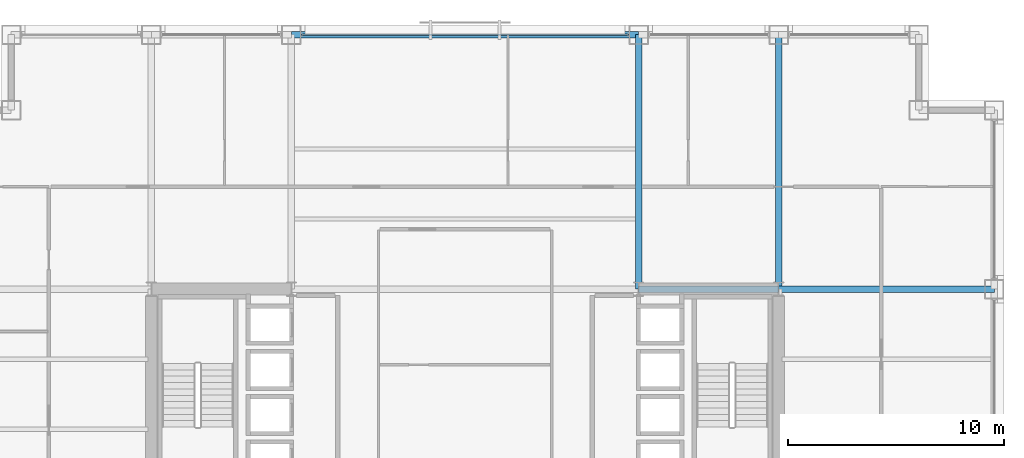
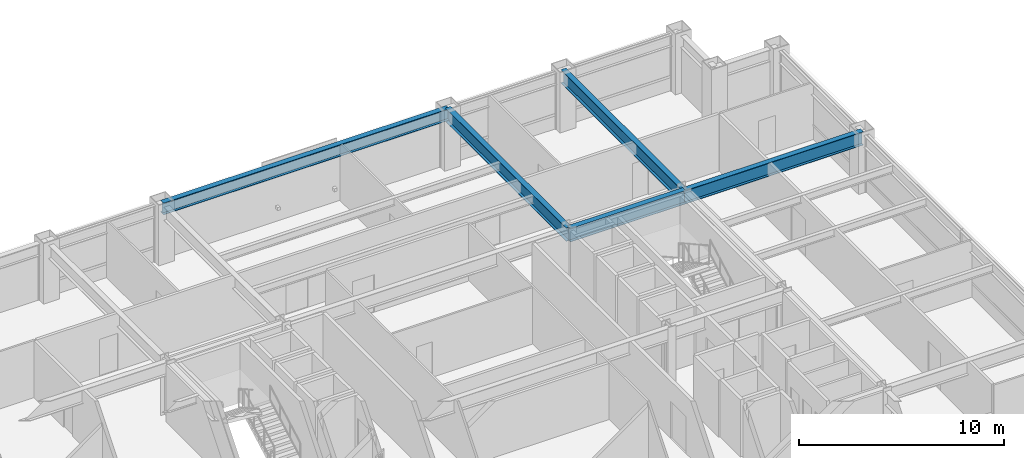
# One storey, part 21 of 29: 5 beams, 1 member, 1 element without a shape of its own.
"""IFC4 building model written with IfcOpenShell, lengths in metres."""

from ifc_helpers import new_model, si_unit, direction, frame, origin, origin_2d, place, context, subcontext, project, spatial, hollow_rectangle, i_section, extrude, material, layer, layer_set, material_profile, profile_set, type_object, element, aggregate, save


model = new_model("IFC4")

# Units and contexts
model_context = context("Model", 3, precision=1e-05, world=origin(), true_north=direction((0.0, 1.0)))
body_context = subcontext(model_context, "Body", "Model", "MODEL_VIEW")
ifc_project = project(units=[si_unit("LENGTHUNIT", "METRE"), si_unit("AREAUNIT", "SQUARE_METRE"), si_unit("VOLUMEUNIT", "CUBIC_METRE"), si_unit("PLANEANGLEUNIT", "RADIAN"), si_unit("MASSUNIT", "GRAM", prefix="KILO")], contexts=[model_context])

# Site, building, storey
site_placement = place(None, origin())
site = spatial("IfcSite", under=ifc_project, at=site_placement, CompositionType="ELEMENT")
building_placement = place(site_placement, origin())
building = spatial("IfcBuilding", under=site, at=building_placement, Name="Brelmoor Portico Tower", CompositionType="ELEMENT")
storey_placement = place(building_placement, frame((0.0, 0.0, 52.800048828125)))
storey = spatial("IfcBuildingStorey", under=building, at=storey_placement, Name="L13", CompositionType="ELEMENT", Elevation=52.800048828125)

# Beams
ifc_material_1 = material(Name="Steel Q355B", Category="steel")
ifc_material_profile_1 = material_profile(ifc_material_1, i_section(OverallWidth=0.300048828125, OverallDepth=0.800048828125, WebThickness=0.013916015625, FlangeThickness=0.02587890625, at=origin_2d()), Name="HN 800x300x14x26")
ifc_profile_set_1 = profile_set([ifc_material_profile_1], Name="Steel Q355B")
beam_type_1 = type_object("IfcBeamType", Name="BM-PG-800", PredefinedType="BEAM", material=ifc_profile_set_1)
for number, where, z_axis, x_axis, name in (
    (1, (8.050048828125, 9.75, 3.0), (0.0, 1.0, 0.0), (-1.0, 0.0, 0.0), "L13 Primary Floor Girder PG-10"),
    (2, (14.550048828125, 9.75, 3.0), (0.0, 1.0, 0.0), (-1.0, 0.0, 0.0), "L13 Primary Floor Girder PG-14"),
):
    element("IfcBeam", number, at=place(storey_placement, frame(where, z_axis=z_axis, x_axis=x_axis)), inside=storey, type_object=beam_type_1, Name=name, PredefinedType="BEAM", context=body_context, shape_type="SweptSolid", body=[
        extrude(i_section(OverallWidth=0.300048828125, OverallDepth=0.800048828125, WebThickness=0.013916015625, FlangeThickness=0.02587890625, at=origin_2d()), origin(), (0.0, 0.0, 1.0), 11.800048828125),
    ])
beam_1_placement = place(storey_placement, frame((8.050048828125, 9.75, 3.0), z_axis=(1.0, 0.0, 0.0), x_axis=(0.0, 1.0, 0.0)))
element("IfcBeam", 3, at=beam_1_placement, inside=storey, type_object=beam_type_1, Name="L13 Primary Floor Girder PG-30", PredefinedType="BEAM", context=body_context, shape_type="SweptSolid", body=[
    extrude(i_section(OverallWidth=0.300048828125, OverallDepth=0.800048828125, WebThickness=0.013916015625, FlangeThickness=0.02587890625, at=origin_2d()), origin(), (0.0, 0.0, 1.0), 6.5),
])
beam_2_placement = place(storey_placement, frame((14.550048828125, 9.75, 3.0), z_axis=(1.0, 0.0, 0.0), x_axis=(0.0, 1.0, 0.0)))
element("IfcBeam", 4, at=beam_2_placement, inside=storey, type_object=beam_type_1, Name="L13 Primary Floor Girder PG-31", PredefinedType="BEAM", context=body_context, shape_type="SweptSolid", body=[
    extrude(i_section(OverallWidth=0.300048828125, OverallDepth=0.800048828125, WebThickness=0.013916015625, FlangeThickness=0.02587890625, at=origin_2d()), origin(), (0.0, 0.0, 1.0), 10.0),
])
ifc_material_profile_2 = material_profile(ifc_material_1, i_section(OverallWidth=0.300048828125, OverallDepth=0.699951171875, WebThickness=0.012939453125, FlangeThickness=0.02392578125, at=origin_2d()), Name="HN 700x300x13x24")
ifc_profile_set_2 = profile_set([ifc_material_profile_2], Name="Steel Q355B")
beam_type_2 = type_object("IfcBeamType", Name="BM-SP-700", PredefinedType="SPANDREL", material=ifc_profile_set_2)
beam_3_placement = place(storey_placement, frame((-8.050048828125, 21.550048828125, 3.050048828125), z_axis=(1.0, 0.0, 0.0), x_axis=(0.0, 1.0, 0.0)))
element("IfcBeam", 5, at=beam_3_placement, inside=storey, type_object=beam_type_2, Name="L13 Perimeter Spandrel Beam SP-12", PredefinedType="SPANDREL", context=body_context, shape_type="SweptSolid", body=[
    extrude(i_section(OverallWidth=0.300048828125, OverallDepth=0.699951171875, WebThickness=0.012939453125, FlangeThickness=0.02392578125, at=origin_2d()), origin(), (0.0, 0.0, 1.0), 16.10009765625),
])

# Curtain wall, member
ifc_material_2 = material(Name="Anodised Aluminium Alloy 6063-T6", Category="aluminium")
ifc_layer = layer(ifc_material_2, 0.179931640625)
ifc_layer_set = layer_set([ifc_layer], Name="Anodised Aluminium Alloy 6063-T6")
curtain_wall_type = type_object("IfcCurtainWallType", Name="CW-TOWER-Z1-XB", PredefinedType="NOTDEFINED", material=ifc_layer_set)
curtain_wall_placement = place(storey_placement, origin())
curtain_wall = element("IfcCurtainWall", 6, at=curtain_wall_placement, inside=storey, type_object=curtain_wall_type, Name="L13 Curtain Wall CW-L13-02-3", PredefinedType="NOTDEFINED")
ifc_material_profile_3 = material_profile(ifc_material_2, hollow_rectangle(XDim=0.06494140625, YDim=0.139892578125, WallThickness=0.00390625, at=origin_2d()), Name="ALU TRANSOM 65x140")
ifc_profile_set_3 = profile_set([ifc_material_profile_3], Name="Anodised Aluminium Alloy 6063-T6")
member_type = type_object("IfcMemberType", Name="MB-CW-TRAN-140", PredefinedType="USERDEFINED", material=ifc_profile_set_3)
member_placement = place(storey_placement, frame((-7.590087890625, 21.550048828125, 3.329833984375), z_axis=(1.0, 0.0, 0.0), x_axis=(0.0, 1.0, 0.0)))
member = element("IfcMember", 7, at=member_placement, type_object=member_type, Name="CW-L13-02-3 Transom 1-00", ObjectType="TRANSOM", PredefinedType="USERDEFINED", context=body_context, shape_type="SweptSolid", body=[
    extrude(hollow_rectangle(XDim=0.06494140625, YDim=0.139892578125, WallThickness=0.00390625, at=origin_2d()), origin(), (0.0, 0.0, 1.0), 15.18017578125),
])
aggregate(curtain_wall, [member])

save(model, "model.ifc")
